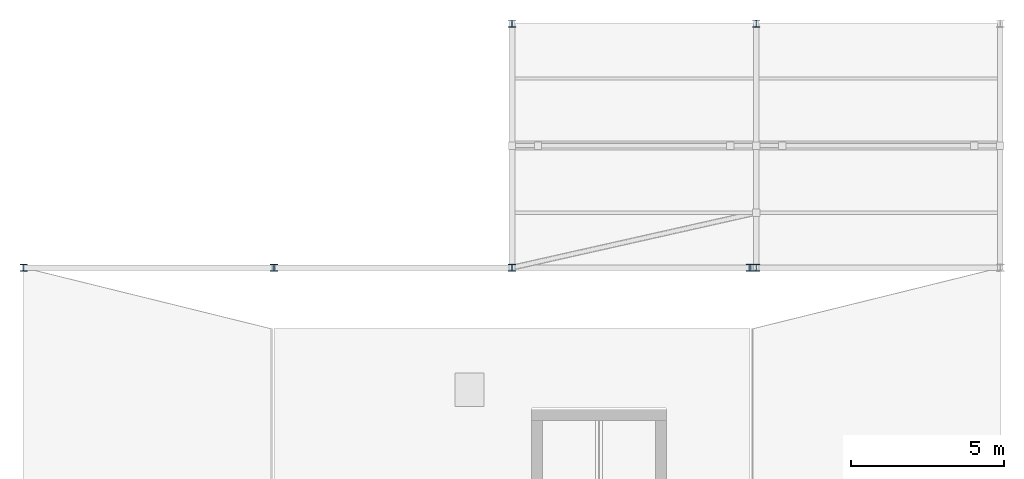
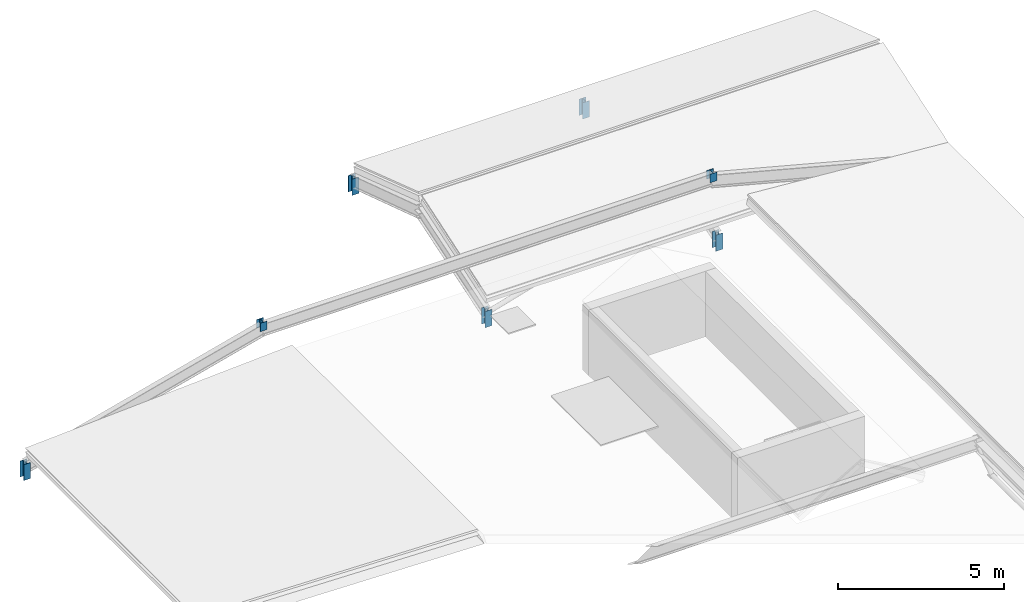
# One storey, part 5 of 8: 7 members.
"""IFC4 building model written with IfcOpenShell, lengths in metres."""

from ifc_helpers import new_model, si_unit, direction, frame, origin, origin_2d, place, context, subcontext, project, spatial, i_section, extrude, material, material_profile, profile_set, type_object, element, save


model = new_model("IFC4")

# Units and contexts
model_context = context("Model", 3, precision=1e-05, world=origin(), true_north=direction((0.0, 1.0)))
body_context = subcontext(model_context, "Body", "Model", "MODEL_VIEW")
ifc_project = project(units=[si_unit("LENGTHUNIT", "METRE"), si_unit("AREAUNIT", "SQUARE_METRE"), si_unit("VOLUMEUNIT", "CUBIC_METRE"), si_unit("PLANEANGLEUNIT", "RADIAN"), si_unit("MASSUNIT", "GRAM", prefix="KILO")], contexts=[model_context])

# Site, building, storey
site_placement = place(None, origin())
site = spatial("IfcSite", under=ifc_project, at=site_placement, CompositionType="ELEMENT")
building_placement = place(site_placement, origin())
building = spatial("IfcBuilding", under=site, at=building_placement, Name="Kenh Van Central Station", CompositionType="ELEMENT")
storey_placement = place(building_placement, frame((0.0, 0.0, 27.60009765625)))
storey = spatial("IfcBuildingStorey", under=building, at=storey_placement, Name="RF", CompositionType="ELEMENT", Elevation=27.60009765625)

# Members
ifc_material = material(Name="Steel S355", Category="steel")
ifc_material_profile = material_profile(ifc_material, i_section(OverallWidth=0.239990234375, OverallDepth=0.22998046875, WebThickness=0.007568359375, FlangeThickness=0.011962890625, FilletRadius=0.02099609375, at=origin_2d()), Name="HEA 240")
ifc_profile_set = profile_set([ifc_material_profile], Name="Steel S355")
member_type = type_object("IfcMemberType", Name="MEM-ROOF-POST240", PredefinedType="POST", material=ifc_profile_set)
member_placement = place(storey_placement, frame((144.0, 64.0, -0.9501953125), z_axis=(0.0, 0.0, 1.0), x_axis=(1.0, 0.0, 0.0)))
element("IfcMember", 1, at=member_placement, inside=storey, type_object=member_type, Name="RF roof eave post 213", PredefinedType="POST", context=body_context, shape_type="SweptSolid", body=[
    extrude(i_section(OverallWidth=0.239990234375, OverallDepth=0.22998046875, WebThickness=0.007568359375, FlangeThickness=0.011962890625, FilletRadius=0.02099609375, at=origin_2d()), origin(), (0.0, 0.0, 1.0), 0.58447265625),
])
for number, where, z_axis, x_axis, name in (
    (2, (152.199951171875, 64.0, 1.63427734375), (0.0, 0.0, 1.0), (1.0, 0.0, 0.0), "RF crown skylight post 213"),
    (3, (167.800048828125, 64.0, 1.63427734375), (0.0, 0.0, 1.0), (1.0, 0.0, 0.0), "RF crown skylight post 213"),
):
    element("IfcMember", number, at=place(storey_placement, frame(where, z_axis=z_axis, x_axis=x_axis)), inside=storey, type_object=member_type, Name=name, PredefinedType="POST", context=body_context, shape_type="SweptSolid", body=[
        extrude(i_section(OverallWidth=0.239990234375, OverallDepth=0.22998046875, WebThickness=0.007568359375, FlangeThickness=0.011962890625, FilletRadius=0.02099609375, at=origin_2d()), origin(), (0.0, 0.0, 1.0), 0.310546875),
    ])
for number, where, z_axis, x_axis, name in (
    (4, (160.0, 64.0, -0.9501953125), (0.0, 0.0, 1.0), (1.0, 0.0, 0.0), "RF roof eave post 218"),
    (5, (160.0, 72.0, -0.9501953125), (0.0, 0.0, 1.0), (1.0, 0.0, 0.0), "RF roof eave post 218"),
    (6, (168.0, 64.0, -0.9501953125), (0.0, 0.0, 1.0), (1.0, 0.0, 0.0), "RF roof eave post 220"),
    (7, (168.0, 72.0, -0.9501953125), (0.0, 0.0, 1.0), (1.0, 0.0, 0.0), "RF roof eave post 220"),
):
    element("IfcMember", number, at=place(storey_placement, frame(where, z_axis=z_axis, x_axis=x_axis)), inside=storey, type_object=member_type, Name=name, PredefinedType="POST", context=body_context, shape_type="SweptSolid", body=[
        extrude(i_section(OverallWidth=0.239990234375, OverallDepth=0.22998046875, WebThickness=0.007568359375, FlangeThickness=0.011962890625, FilletRadius=0.02099609375, at=origin_2d()), origin(), (0.0, 0.0, 1.0), 0.5966796875),
    ])

save(model, "model.ifc")
